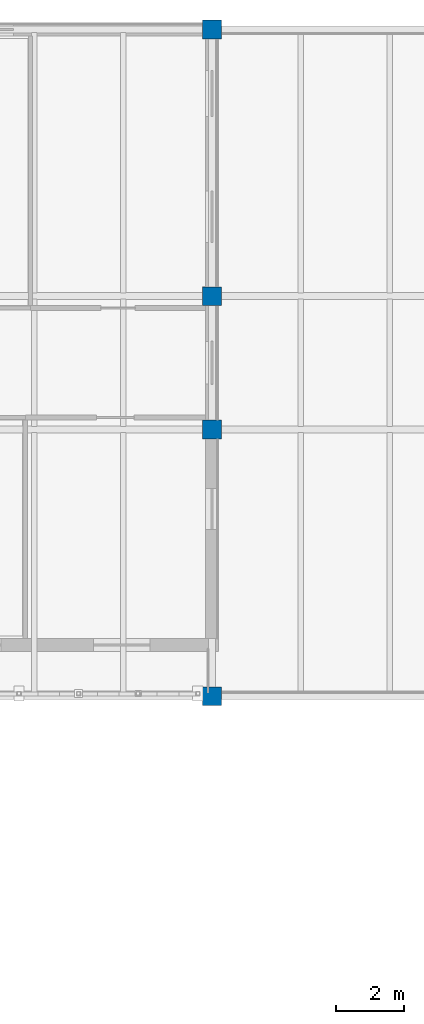
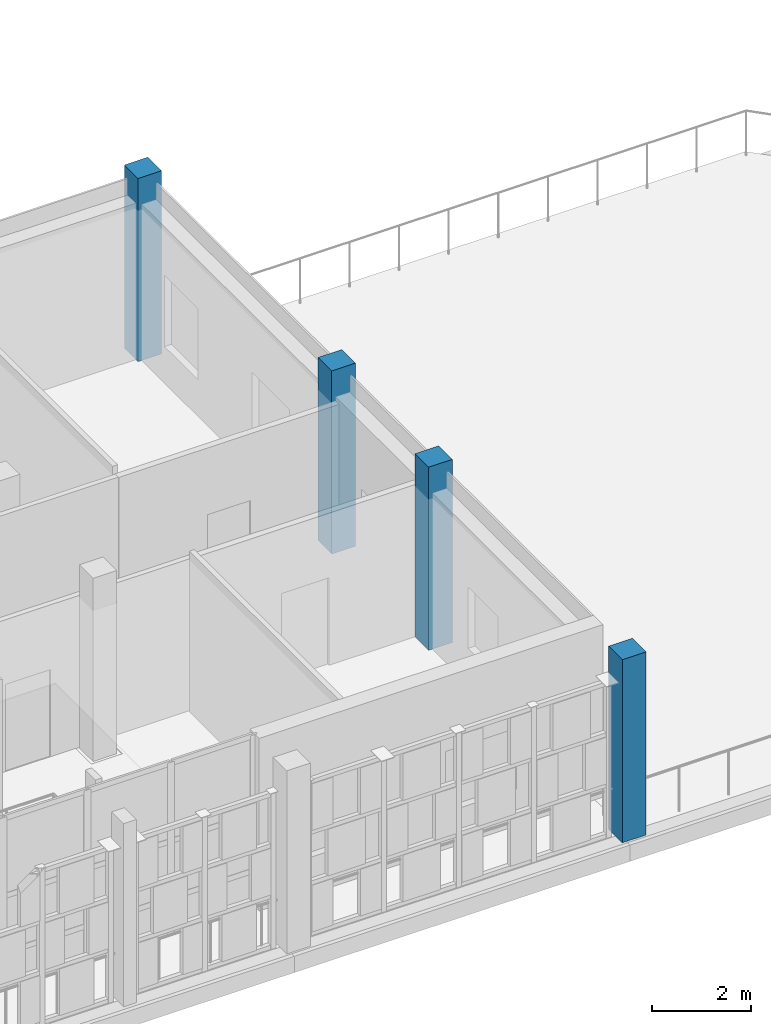
# One storey, part 12 of 119: 4 columns.
"""IFC4 building model written with IfcOpenShell, lengths in metres."""

from ifc_helpers import new_model, si_unit, direction, frame, origin, origin_2d, place, context, subcontext, project, spatial, rectangle, extrude, material, material_profile, profile_set, type_object, element, save


model = new_model("IFC4")

# Units and contexts
model_context = context("Model", 3, precision=1e-05, world=origin(), true_north=direction((0.0, 1.0)))
body_context = subcontext(model_context, "Body", "Model", "MODEL_VIEW")
ifc_project = project(units=[si_unit("LENGTHUNIT", "METRE"), si_unit("AREAUNIT", "SQUARE_METRE"), si_unit("VOLUMEUNIT", "CUBIC_METRE"), si_unit("PLANEANGLEUNIT", "RADIAN"), si_unit("MASSUNIT", "GRAM", prefix="KILO")], contexts=[model_context])

# Site, building, storey
site_placement = place(None, origin())
site = spatial("IfcSite", under=ifc_project, at=site_placement, CompositionType="ELEMENT")
building_placement = place(site_placement, origin())
building = spatial("IfcBuilding", under=site, at=building_placement, Name="Celorna Specialist Clinic", CompositionType="ELEMENT")
storey_placement = place(building_placement, frame((0.0, 0.0, 9.60009765625)))
storey = spatial("IfcBuildingStorey", under=building, at=storey_placement, Name="L02", CompositionType="ELEMENT", Elevation=9.60009765625)

# Columns
ifc_material = material(Name="Concrete C35/45", Category="concrete")
ifc_material_profile = material_profile(ifc_material, rectangle(XDim=0.550048828125, YDim=0.550048828125, at=origin_2d()), Name="RC 550x550")
ifc_profile_set = profile_set([ifc_material_profile], Name="Concrete C35/45")
column_type = type_object("IfcColumnType", Name="CT-05", PredefinedType="COLUMN", material=ifc_profile_set)
for number, where, z_axis, x_axis, name in (
    (1, (132.60009765625, 96.5, 0.0), (0.0, 0.0, 1.0), (1.0, 0.0, 0.0), "Column CT-05 L02 X18/YR"),
    (2, (132.60009765625, 104.300048828125, 0.0), (0.0, 0.0, 1.0), (1.0, 0.0, 0.0), "Column CT-05 L02 X18/YS"),
    (3, (132.60009765625, 108.199951171875, 0.0), (0.0, 0.0, 1.0), (1.0, 0.0, 0.0), "Column CT-05 L02 X18/YT"),
    (4, (132.60009765625, 116.0, 0.0), (0.0, 0.0, 1.0), (1.0, 0.0, 0.0), "Column CT-05 L02 X18/YU"),
):
    element("IfcColumn", number, at=place(storey_placement, frame(where, z_axis=z_axis, x_axis=x_axis)), inside=storey, type_object=column_type, Name=name, PredefinedType="COLUMN", context=body_context, shape_type="SweptSolid", body=[
        extrude(rectangle(XDim=0.550048828125, YDim=0.550048828125, at=origin_2d()), origin(), (0.0, 0.0, 1.0), 4.5),
    ])

save(model, "model.ifc")
